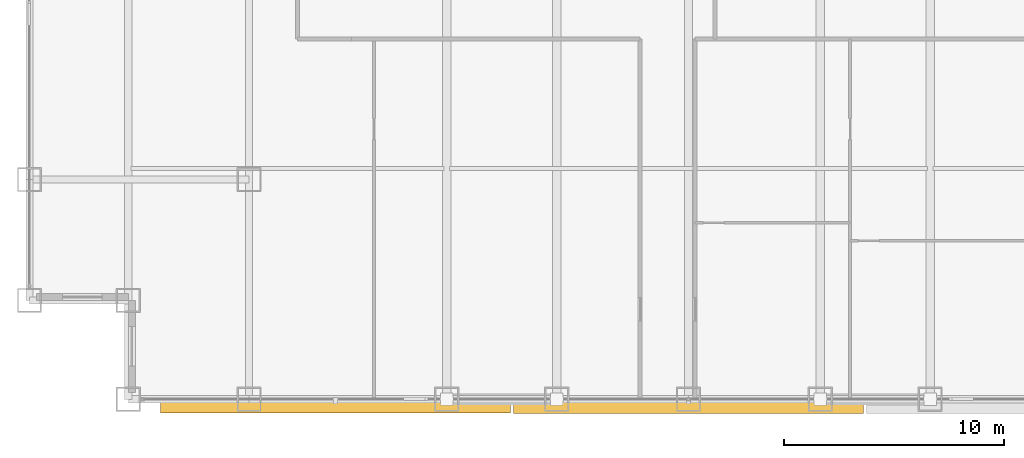
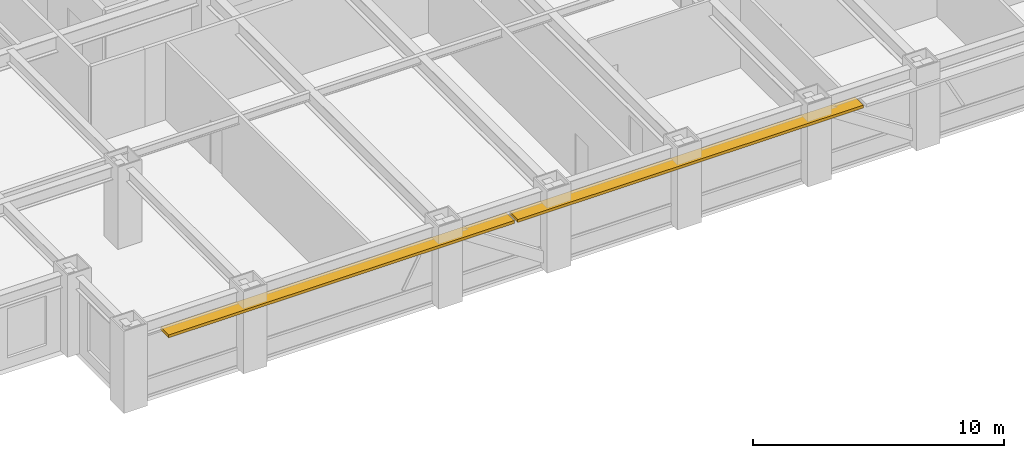
# One storey, part 24 of 28: 2 shading devices.
"""IFC4 building model written with IfcOpenShell, lengths in metres."""

from ifc_helpers import new_model, si_unit, direction, frame, origin, origin_2d, place, context, subcontext, project, spatial, rectangle, extrude, source, transform, mapped, material, layer, layer_set, type_object, element, save


model = new_model("IFC4")

# Units and contexts
model_context = context("Model", 3, precision=1e-05, world=origin(), true_north=direction((0.0, 1.0)))
body_context = subcontext(model_context, "Body", "Model", "MODEL_VIEW")
ifc_project = project(units=[si_unit("LENGTHUNIT", "METRE"), si_unit("AREAUNIT", "SQUARE_METRE"), si_unit("VOLUMEUNIT", "CUBIC_METRE"), si_unit("PLANEANGLEUNIT", "RADIAN"), si_unit("MASSUNIT", "GRAM", prefix="KILO")], contexts=[model_context])

# Site, building, storey
site_placement = place(None, origin())
site = spatial("IfcSite", under=ifc_project, at=site_placement, CompositionType="ELEMENT")
building_placement = place(site_placement, origin())
building = spatial("IfcBuilding", under=site, at=building_placement, Name="Khorayat Bourse Tower", CompositionType="ELEMENT")
storey_placement = place(building_placement, frame((0.0, 0.0, 187.10009765625)))
storey = spatial("IfcBuildingStorey", under=building, at=storey_placement, Name="L43", CompositionType="ELEMENT", Elevation=187.10009765625)

# Shading devices
ifc_material = material(Name="Precast concrete C45/55", Category="concrete")
ifc_layer = layer(ifc_material, 0.139892578125)
ifc_layer_set = layer_set([ifc_layer], Name="Precast concrete C45/55")
shading_device_type = type_object("IfcShadingDeviceType", Name="SHD-WAVE-TRAY-A", PredefinedType="USERDEFINED", material=ifc_layer_set)
shared_shape_1 = source(origin(), body_context, "Body", "SweptSolid", [
    extrude(rectangle(XDim=15.9267578125, YDim=0.65087890625, at=origin_2d()), origin(), (0.0, 0.0, 1.0), 0.139892578125),
])
shading_device_1_placement = place(storey_placement, frame((-16.066650390625, -30.305419921875, 3.02978515625), z_axis=(0.0, 0.0, 1.0), x_axis=(1.0, 0.0, 0.0)))
element("IfcShadingDevice", 1, at=shading_device_1_placement, inside=storey, type_object=shading_device_type, Name="L43 Sinusoidal Wave Sunshade Tray S-1", ObjectType="SUNSHADE", PredefinedType="USERDEFINED", context=body_context, shape_type="MappedRepresentation", body=[
    mapped(shared_shape_1, transform((0.0, 0.0, 0.0), scale=1.0)),
])
shared_shape_2 = source(origin(), body_context, "Body", "SweptSolid", [
    extrude(rectangle(XDim=15.9267578125, YDim=0.6611328125, at=origin_2d()), origin(), (0.0, 0.0, 1.0), 0.139892578125),
])
shading_device_2_placement = place(storey_placement, frame((0.0, -30.310546875, 3.02978515625), z_axis=(0.0, 0.0, 1.0), x_axis=(1.0, 0.0, 0.0)))
element("IfcShadingDevice", 2, at=shading_device_2_placement, inside=storey, type_object=shading_device_type, Name="L43 Sinusoidal Wave Sunshade Tray S-2", ObjectType="SUNSHADE", PredefinedType="USERDEFINED", context=body_context, shape_type="MappedRepresentation", body=[
    mapped(shared_shape_2, transform((0.0, 0.0, 0.0), scale=1.0)),
])

save(model, "model.ifc")
